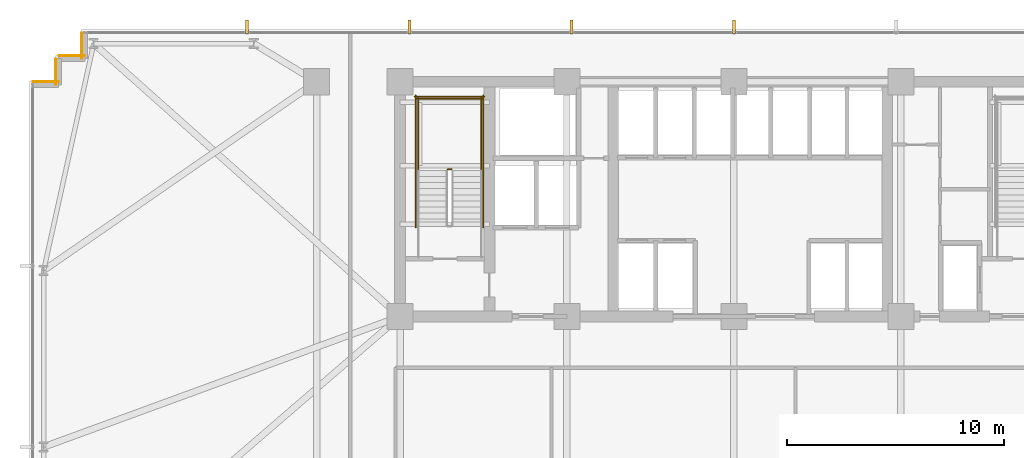
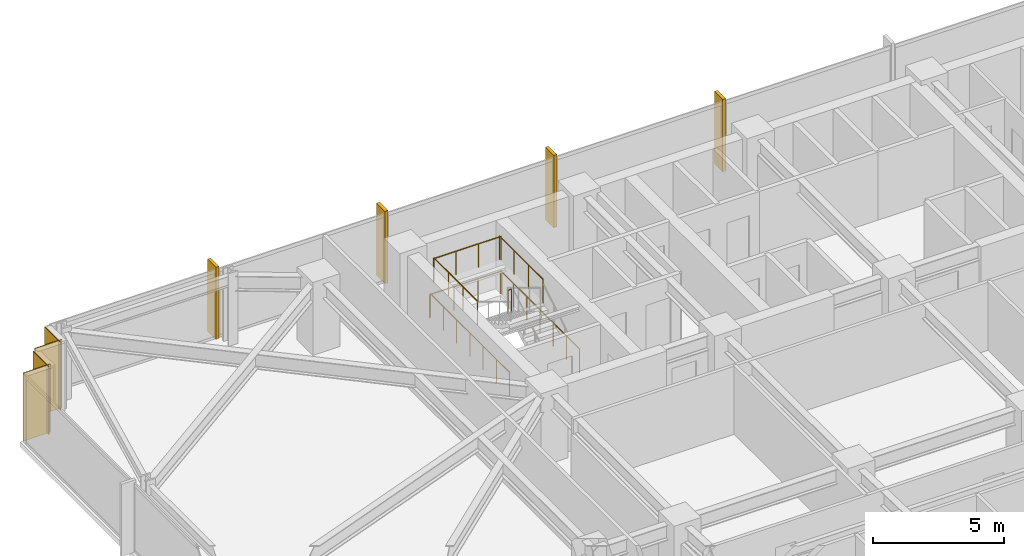
# One storey, part 30 of 32: 7 railings, 4 coverings, 4 shading devices.
"""IFC4 building model written with IfcOpenShell, lengths in metres."""

from ifc_helpers import new_model, si_unit, direction, frame, frame_2d, origin, origin_2d, place, context, subcontext, project, spatial, rectangle, circle, extrude, material, layer, layer_set, type_object, element, save


model = new_model("IFC4")

# Units and contexts
model_context = context("Model", 3, precision=1e-05, world=origin(), true_north=direction((0.0, 1.0)))
body_context = subcontext(model_context, "Body", "Model", "MODEL_VIEW")
ifc_project = project(units=[si_unit("LENGTHUNIT", "METRE"), si_unit("AREAUNIT", "SQUARE_METRE"), si_unit("VOLUMEUNIT", "CUBIC_METRE"), si_unit("PLANEANGLEUNIT", "RADIAN"), si_unit("MASSUNIT", "GRAM", prefix="KILO")], contexts=[model_context])

# Site, building, storey
site_placement = place(None, origin())
site = spatial("IfcSite", under=ifc_project, at=site_placement, CompositionType="ELEMENT")
building_placement = place(site_placement, origin())
building = spatial("IfcBuilding", under=site, at=building_placement, Name="Yelkora Congress Tower", CompositionType="ELEMENT")
storey_placement = place(building_placement, frame((0.0, 0.0, 40.60009765625)))
storey = spatial("IfcBuildingStorey", under=building, at=storey_placement, Name="L09", CompositionType="ELEMENT", Elevation=40.60009765625)

# Coverings
ifc_material_1 = material(Name="Anatolian bush-hammered limestone", Category="masonry")
ifc_layer_1 = layer(ifc_material_1, 0.0400390625)
ifc_layer_set_1 = layer_set([ifc_layer_1], Name="Anatolian bush-hammered limestone")
covering_type = type_object("IfcCoveringType", Name="COV-CLAD-SPANDREL-40", PredefinedType="CLADDING", material=ifc_layer_set_1)
covering_placement = place(storey_placement, frame((6.139892578125, 46.195068359375, 0.0), z_axis=(0.0, 0.0, 1.0), x_axis=(1.0, 0.0, 0.0)))
element("IfcCovering", 1, at=covering_placement, inside=storey, type_object=covering_type, Name="L09 Anatolian Limestone Cladding EW-L09-SR06", PredefinedType="CLADDING", context=body_context, shape_type="SweptSolid", body=[
    extrude(rectangle(XDim=1.2001953125, YDim=0.0400390625, at=frame_2d((0.60009765625, 0.0))), origin(), (0.0, 0.0, 1.0), 3.179931640625),
])
for number, where, z_axis, x_axis, name in (
    (2, (7.205078125, 46.06005859375, 0.0), (0.0, 0.0, 1.0), (0.0, 1.0, 0.0), "L09 Anatolian Limestone Cladding EW-L09-SR07"),
    (3, (7.340087890625, 47.39501953125, 0.0), (0.0, 0.0, 1.0), (1.0, 0.0, 0.0), "L09 Anatolian Limestone Cladding EW-L09-SR08"),
    (4, (8.405029296875, 47.260009765625, 0.0), (0.0, 0.0, 1.0), (0.0, 1.0, 0.0), "L09 Anatolian Limestone Cladding EW-L09-SR09"),
):
    element("IfcCovering", number, at=place(storey_placement, frame(where, z_axis=z_axis, x_axis=x_axis)), inside=storey, type_object=covering_type, Name=name, PredefinedType="CLADDING", context=body_context, shape_type="SweptSolid", body=[
        extrude(rectangle(XDim=1.199951171875, YDim=0.0400390625, at=frame_2d((0.60009765625, 0.0))), origin(), (0.0, 0.0, 1.0), 3.179931640625),
    ])

# Railings
ifc_material_2 = material(Name="Painted galvanised steel stair well guard with vertical infill", Category="steel")
ifc_layer_2 = layer(ifc_material_2, 0.06005859375)
ifc_layer_set_2 = layer_set([ifc_layer_2], Name="Painted galvanised steel stair well guard with vertical infill")
railing_type = type_object("IfcRailingType", Name="RAIL-STAIR-GUARD-1120", PredefinedType="GUARDRAIL", material=ifc_layer_set_2)
railing_1_placement = place(storey_placement, frame((25.39990234375, 42.169921875, 1.699951171875)))
element("IfcRailing", 5, at=railing_1_placement, inside=storey, type_object=railing_type, Name="ST-01 L09 Stair Well Guardrail 2", PredefinedType="GUARDRAIL", context=body_context, shape_type="SweptSolid", body=[
    extrude(circle(Radius=0.02392578125, at=origin_2d()), frame((0.0, 0.0, 1.09619140625), z_axis=(-1.0, 0.0, 0.0), x_axis=(0.0, -1.0, 0.0)), (0.0, 0.0, 1.0), 0.159912109375),
    extrude(circle(Radius=0.02099609375, at=origin_2d()), origin(), (0.0, 0.0, 1.0), 1.072021484375),
    extrude(circle(Radius=0.02099609375, at=origin_2d()), frame((-0.159912109375, 0.0, 0.0)), (0.0, 0.0, 1.0), 1.072021484375),
])
for number, where, name in (
    (6, (26.77001953125, 42.1201171875, 1.699951171875), "ST-01 L09 Stair Well Guardrail 3"),
    (7, (23.8701171875, 42.1201171875, 1.699951171875), "ST-01 L09 Stair Well Guardrail 4"),
):
    element("IfcRailing", number, at=place(storey_placement, frame(where)), inside=storey, type_object=railing_type, Name=name, PredefinedType="GUARDRAIL", context=body_context, shape_type="SweptSolid", body=[
        extrude(circle(Radius=0.02392578125, at=origin_2d()), frame((0.0, 0.0, 1.09619140625), z_axis=(0.0, 1.0, 0.0), x_axis=(-1.0, 0.0, 0.0)), (0.0, 0.0, 1.0), 3.349853515625),
        extrude(circle(Radius=0.02099609375, at=origin_2d()), origin(), (0.0, 0.0, 1.0), 1.072021484375),
        extrude(circle(Radius=0.02099609375, at=origin_2d()), frame((0.0, 1.11669921875, 0.0)), (0.0, 0.0, 1.0), 1.072021484375),
        extrude(circle(Radius=0.02099609375, at=origin_2d()), frame((0.0, 2.233154296875, 0.0)), (0.0, 0.0, 1.0), 1.072021484375),
        extrude(circle(Radius=0.02099609375, at=origin_2d()), frame((0.0, 3.349853515625, 0.0)), (0.0, 0.0, 1.0), 1.072021484375),
    ])
railing_2_placement = place(storey_placement, frame((26.820068359375, 45.419921875, 1.699951171875)))
element("IfcRailing", 8, at=railing_2_placement, inside=storey, type_object=railing_type, Name="ST-01 L09 Stair Well Guardrail 5", PredefinedType="GUARDRAIL", context=body_context, shape_type="SweptSolid", body=[
    extrude(circle(Radius=0.02392578125, at=origin_2d()), frame((0.0, 0.0, 1.09619140625), z_axis=(-1.0, 0.0, 0.0), x_axis=(0.0, -1.0, 0.0)), (0.0, 0.0, 1.0), 3.0),
    extrude(circle(Radius=0.02099609375, at=origin_2d()), origin(), (0.0, 0.0, 1.0), 1.072021484375),
    extrude(circle(Radius=0.02099609375, at=origin_2d()), frame((-1.0, 0.0, 0.0)), (0.0, 0.0, 1.0), 1.072021484375),
    extrude(circle(Radius=0.02099609375, at=origin_2d()), frame((-2.0, 0.0, 0.0)), (0.0, 0.0, 1.0), 1.072021484375),
    extrude(circle(Radius=0.02099609375, at=origin_2d()), frame((-3.0, 0.0, 0.0)), (0.0, 0.0, 1.0), 1.072021484375),
])
for number, where, name in (
    (9, (26.8701171875, 39.5, 0.0), "ST-01 L09 Stair Well Guardrail 10"),
    (10, (23.77001953125, 39.5, 0.0), "ST-01 L09 Stair Well Guardrail 11"),
):
    element("IfcRailing", number, at=place(storey_placement, frame(where)), inside=storey, type_object=railing_type, Name=name, PredefinedType="GUARDRAIL", context=body_context, shape_type="SweptSolid", body=[
        extrude(circle(Radius=0.02392578125, at=origin_2d()), frame((0.0, 0.0, 1.09619140625), z_axis=(0.0, 1.0, 0.0), x_axis=(-1.0, 0.0, 0.0)), (0.0, 0.0, 1.0), 6.070068359375),
        extrude(circle(Radius=0.02099609375, at=origin_2d()), origin(), (0.0, 0.0, 1.0), 1.072021484375),
        extrude(circle(Radius=0.02099609375, at=origin_2d()), frame((0.0, 1.01171875, 0.0)), (0.0, 0.0, 1.0), 1.072021484375),
        extrude(circle(Radius=0.02099609375, at=origin_2d()), frame((0.0, 2.0234375, 0.0)), (0.0, 0.0, 1.0), 1.072021484375),
        extrude(circle(Radius=0.02099609375, at=origin_2d()), frame((0.0, 3.03515625, 0.0)), (0.0, 0.0, 1.0), 1.072021484375),
        extrude(circle(Radius=0.02099609375, at=origin_2d()), frame((0.0, 4.046630859375, 0.0)), (0.0, 0.0, 1.0), 1.072021484375),
        extrude(circle(Radius=0.02099609375, at=origin_2d()), frame((0.0, 5.058349609375, 0.0)), (0.0, 0.0, 1.0), 1.072021484375),
        extrude(circle(Radius=0.02099609375, at=origin_2d()), frame((0.0, 6.070068359375, 0.0)), (0.0, 0.0, 1.0), 1.072021484375),
    ])
railing_3_placement = place(storey_placement, frame((26.919921875, 45.52001953125, 0.0)))
element("IfcRailing", 11, at=railing_3_placement, inside=storey, type_object=railing_type, Name="ST-01 L09 Stair Well Guardrail 12", PredefinedType="GUARDRAIL", context=body_context, shape_type="SweptSolid", body=[
    extrude(circle(Radius=0.02392578125, at=origin_2d()), frame((0.0, 0.0, 1.09619140625), z_axis=(-1.0, 0.0, 0.0), x_axis=(0.0, -1.0, 0.0)), (0.0, 0.0, 1.0), 3.199951171875),
    extrude(circle(Radius=0.02099609375, at=origin_2d()), origin(), (0.0, 0.0, 1.0), 1.072021484375),
    extrude(circle(Radius=0.02099609375, at=origin_2d()), frame((-1.066650390625, 0.0, 0.0)), (0.0, 0.0, 1.0), 1.072021484375),
    extrude(circle(Radius=0.02099609375, at=origin_2d()), frame((-2.13330078125, 0.0, 0.0)), (0.0, 0.0, 1.0), 1.072021484375),
    extrude(circle(Radius=0.02099609375, at=origin_2d()), frame((-3.199951171875, 0.0, 0.0)), (0.0, 0.0, 1.0), 1.072021484375),
])

# Shading devices
ifc_material_3 = material(Name="Champagne anodised aluminium", Category="aluminium")
ifc_layer_3 = layer(ifc_material_3, 3.39990234375)
ifc_layer_set_3 = layer_set([ifc_layer_3], Name="Champagne anodised aluminium")
shading_device_type = type_object("IfcShadingDeviceType", Name="SHD-FIN-ALU-640", PredefinedType="USERDEFINED", material=ifc_layer_set_3)
for number, where, z_axis, x_axis, name in (
    (12, (16.0048828125, 48.719970703125, -0.030029296875), (0.0, 0.0, 1.0), (1.0, 0.0, 0.0), "L09 Vertical Anodised Solar Fin 10-1"),
    (13, (23.469970703125, 48.719970703125, -0.030029296875), (0.0, 0.0, 1.0), (1.0, 0.0, 0.0), "L09 Vertical Anodised Solar Fin 10-2"),
    (14, (30.93505859375, 48.719970703125, -0.030029296875), (0.0, 0.0, 1.0), (1.0, 0.0, 0.0), "L09 Vertical Anodised Solar Fin 10-3"),
    (15, (38.39990234375, 48.719970703125, -0.030029296875), (0.0, 0.0, 1.0), (1.0, 0.0, 0.0), "L09 Vertical Anodised Solar Fin 10-4"),
):
    element("IfcShadingDevice", number, at=place(storey_placement, frame(where, z_axis=z_axis, x_axis=x_axis)), inside=storey, type_object=shading_device_type, Name=name, ObjectType="FIN", PredefinedType="USERDEFINED", context=body_context, shape_type="SweptSolid", body=[
        extrude(rectangle(XDim=0.139892578125, YDim=0.639892578125, at=origin_2d()), origin(), (0.0, 0.0, 1.0), 3.3798828125),
    ])

save(model, "model.ifc")
